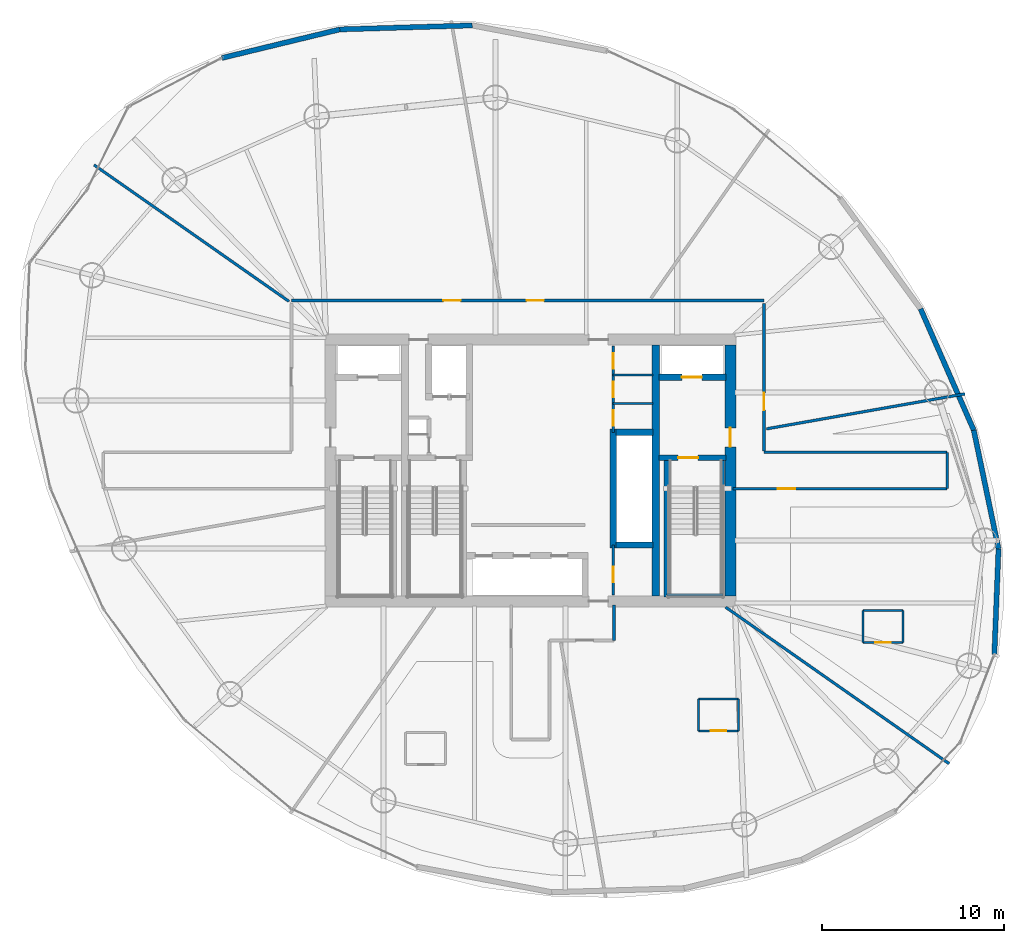
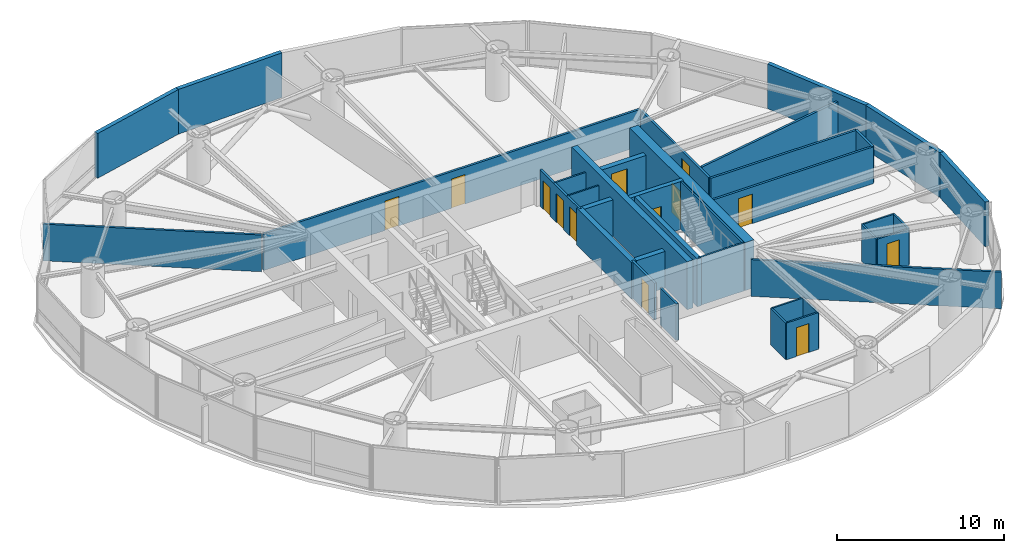
# One storey, part 19 of 23: 36 walls, 13 doors, 13 openings.
"""IFC4 building model written with IfcOpenShell, lengths in metres."""

import ifcopenshell
import ifcopenshell.guid

model = None  # the IFC model being written
_history = None  # IfcOwnerHistory: only IFC2X3 demands one
_inside = {}  # id of a spatial element -> (the spatial element, [elements in it])
_under = {}  # id of a project, library or spatial element -> (it, [spatial elements below it])
_declared = {}  # id of a project -> (the project, [libraries it declares])
_typed = {}  # id of a type object -> (the type object, [elements of that type])
_made_of = {}  # id of a material, layer set ... -> (it, [elements and type objects made of it])


def new_model(schema):
    """Start an empty IFC model of exactly this schema.

    Asked for "IFC4X3", IfcOpenShell would pick the latest addendum, in which some entities
    have other attributes; the version numbers below select the first issue.
    IFC2X3 requires an IfcOwnerHistory on every rooted entity: one is made here for all.
    """
    global model, _history
    if schema == "IFC4X3":
        model = ifcopenshell.file(schema_version=(4, 3, 0, 0))
    else:
        model = ifcopenshell.file(schema=schema)
    _inside.clear()
    _under.clear()
    _declared.clear()
    _typed.clear()
    _made_of.clear()
    _history = None
    if model.schema == "IFC2X3":
        org = make("IfcOrganization", Name="unknown")
        user = make(
            "IfcPersonAndOrganization",
            ThePerson=make("IfcPerson", FamilyName="unknown"),
            TheOrganization=org,
        )
        app = make(
            "IfcApplication",
            ApplicationDeveloper=org,
            Version="unknown",
            ApplicationFullName="unknown",
            ApplicationIdentifier="unknown",
        )
        _history = make(
            "IfcOwnerHistory",
            OwningUser=user,
            OwningApplication=app,
            ChangeAction="ADDED",
            CreationDate=0,
        )
    return model


def make(cls, **values):
    """One entity of the class cls with the attributes given. An attribute that is None is left unset."""
    return model.create_entity(
        cls, **{name: value for name, value in values.items() if value is not None}
    )


def rooted(cls, **values):
    """An entity with a GlobalId (a new one), such as an element, a storey or a relation."""
    return make(cls, GlobalId=ifcopenshell.guid.new(), OwnerHistory=_history, **values)


def si_unit(unit_type, name, prefix=None):
    """IfcSIUnit, for example si_unit("LENGTHUNIT", "METRE", prefix="MILLI")."""
    return make("IfcSIUnit", UnitType=unit_type, Prefix=prefix, Name=name)


def assignment(units):
    """IfcUnitAssignment: the units of a project."""
    return None if units is None else make("IfcUnitAssignment", Units=units)


def point(xyz):
    """IfcCartesianPoint."""
    return None if xyz is None else make("IfcCartesianPoint", Coordinates=xyz)


def direction(xyz):
    """IfcDirection."""
    return None if xyz is None else make("IfcDirection", DirectionRatios=xyz)


def frame(location, z_axis=None, x_axis=None):
    """IfcAxis2Placement3D, a coordinate frame: its origin and axes. An axis left out is left unset."""
    return make(
        "IfcAxis2Placement3D",
        Location=point(location),
        Axis=direction(z_axis),
        RefDirection=direction(x_axis),
    )


def frame_2d(location, x_axis=None):
    """IfcAxis2Placement2D, a coordinate frame in the plane: its origin and x axis."""
    return make(
        "IfcAxis2Placement2D", Location=point(location), RefDirection=direction(x_axis)
    )


def origin():
    """The frame at (0, 0, 0) with its axes left unset."""
    return frame((0.0, 0.0, 0.0))


def place(relative_to, where):
    """IfcLocalPlacement: puts the frame where relative to a parent placement (None: the world)."""
    return make(
        "IfcLocalPlacement", PlacementRelTo=relative_to, RelativePlacement=where
    )


def context(
    kind, dimensions, precision=None, world=None, true_north=None, identifier=None
):
    """IfcGeometricRepresentationContext, for example the 3D "Model" context."""
    return make(
        "IfcGeometricRepresentationContext",
        ContextIdentifier=identifier,
        ContextType=kind,
        CoordinateSpaceDimension=dimensions,
        Precision=precision,
        WorldCoordinateSystem=world,
        TrueNorth=true_north,
    )


def subcontext(parent, identifier, kind, view, scale=None):
    """IfcGeometricRepresentationSubContext, for example "Body" below "Model"."""
    return make(
        "IfcGeometricRepresentationSubContext",
        ContextIdentifier=identifier,
        ContextType=kind,
        ParentContext=parent,
        TargetScale=scale,
        TargetView=view,
    )


def project(units=None, contexts=None):
    """IfcProject with its units and contexts."""
    return rooted(
        "IfcProject",
        Name="project",
        RepresentationContexts=contexts,
        UnitsInContext=assignment(units),
    )


def spatial(cls, under=None, at=None, **own):
    """A site, building, storey or space (cls), placed at a placement, below another one or the project."""
    s = rooted(cls, ObjectPlacement=at, **own)
    if under is not None:
        _under.setdefault(under.id(), (under, []))[1].append(s)
    return s


def profile(cls, at=None, kind="AREA", **sizes):
    """A parametric profile (cls). Its sizes go by their IFC names, for example OverallWidth=200.0."""
    return make(cls, ProfileType=kind, Position=at, **sizes)


def rectangle(**sizes):
    """IfcRectangleProfileDef."""
    return profile("IfcRectangleProfileDef", **sizes)


def extrude(swept, where, along, depth):
    """IfcExtrudedAreaSolid: the profile swept, set in the frame where, extruded along a direction by depth."""
    return make(
        "IfcExtrudedAreaSolid",
        SweptArea=swept,
        Position=where,
        ExtrudedDirection=direction(along),
        Depth=depth,
    )


def shape(context_of_items, identifier, shape_type, items):
    """IfcShapeRepresentation: the items that make up one representation, for example the "Body"."""
    return make(
        "IfcShapeRepresentation",
        ContextOfItems=context_of_items,
        RepresentationIdentifier=identifier,
        RepresentationType=shape_type,
        Items=items,
    )


def material(Name=None, Category=None):
    """IfcMaterial."""
    return make("IfcMaterial", Name=Name, Category=Category)


def layer(
    of_material, thickness, ventilated=None, Name=None, Category=None, Priority=None
):
    """IfcMaterialLayer: one layer of a wall or slab, of a material (None: an air gap)."""
    return make(
        "IfcMaterialLayer",
        Material=of_material,
        LayerThickness=thickness,
        IsVentilated=ventilated,
        Name=Name,
        Category=Category,
        Priority=Priority,
    )


def layer_set(layers, Name=None):
    """IfcMaterialLayerSet."""
    return make("IfcMaterialLayerSet", MaterialLayers=layers, LayerSetName=Name)


def made_of(thing, what):
    """Note that an element or type object is made of a material, layer set ...; save() writes the relation."""
    if what is not None:
        _made_of.setdefault(what.id(), (what, []))[1].append(thing)
    return thing


def type_object(cls, material=None, **own):
    """A type object (cls), such as IfcWallType, which elements share."""
    return made_of(rooted(cls, **own), material)


def element(
    cls,
    number,
    at=None,
    inside=None,
    cuts=None,
    type_object=None,
    material=None,
    context=None,
    identifier="Body",
    shape_type=None,
    held_by="IfcProductDefinitionShape",
    body=None,
    shapes=None,
    **own,
):
    """One element of the class cls, such as IfcWall. Its Tag is "e" and its number.

    at: its placement. inside: the storey or other place that contains it. cuts: it is an
    opening in that element (IfcRelVoidsElement). A single representation is given by context,
    identifier, shape_type and body (its items); several are given by shapes. held_by: the class
    of the entity that holds the representations. save() writes the other relations.
    """
    e = rooted(cls, Tag="e%d" % number, ObjectPlacement=at, **own)
    if body is not None:
        shapes = [shape(context, identifier, shape_type, body)]
    if shapes is not None:
        e.Representation = make(held_by, Representations=shapes)
    if inside is not None:
        _inside.setdefault(inside.id(), (inside, []))[1].append(e)
    if cuts is not None:
        rooted(
            "IfcRelVoidsElement", RelatingBuildingElement=cuts, RelatedOpeningElement=e
        )
    if type_object is not None:
        _typed.setdefault(type_object.id(), (type_object, []))[1].append(e)
    return made_of(e, material)


def fill(opening, filler):
    """IfcRelFillsElement: the door or window that sits in an opening."""
    return rooted(
        "IfcRelFillsElement",
        RelatingOpeningElement=opening,
        RelatedBuildingElement=filler,
    )


def aggregate(whole, parts):
    """IfcRelAggregates: a whole, such as a stair, and the parts it consists of."""
    return rooted("IfcRelAggregates", RelatingObject=whole, RelatedObjects=parts)


def save(model, path):
    """Write the relations noted so far, then the file.

    IfcRelAggregates (storeys below a building ...), IfcRelContainedInSpatialStructure (elements
    in a storey), IfcRelDefinesByType, IfcRelAssociatesMaterial and IfcRelDeclares: one each for
    every whole, place, type object, material and project.
    """
    for whole, parts in _under.values():
        aggregate(whole, parts)
    for where, things in _inside.values():
        rooted(
            "IfcRelContainedInSpatialStructure",
            RelatedElements=things,
            RelatingStructure=where,
        )
    for kind, things in _typed.values():
        rooted("IfcRelDefinesByType", RelatedObjects=things, RelatingType=kind)
    for what, things in _made_of.values():
        rooted("IfcRelAssociatesMaterial", RelatedObjects=things, RelatingMaterial=what)
    for by, libraries in _declared.values():
        rooted("IfcRelDeclares", RelatingContext=by, RelatedDefinitions=libraries)
    model.write(path)


model = new_model("IFC4")

# Units and contexts
model_context = context("Model", 3, precision=1e-05, world=origin(), true_north=direction((0.0, 1.0)))
body_context = subcontext(model_context, "Body", "Model", "MODEL_VIEW")
ifc_project = project(units=[si_unit("LENGTHUNIT", "METRE"), si_unit("AREAUNIT", "SQUARE_METRE"), si_unit("VOLUMEUNIT", "CUBIC_METRE"), si_unit("PLANEANGLEUNIT", "RADIAN"), si_unit("MASSUNIT", "GRAM", prefix="KILO")], contexts=[model_context])

# Site, building, storey
site_placement = place(None, origin())
site = spatial("IfcSite", under=ifc_project, at=site_placement, CompositionType="ELEMENT")
building_placement = place(site_placement, origin())
building = spatial("IfcBuilding", under=site, at=building_placement, Name="Bramvorn Convention Spire", CompositionType="ELEMENT")
storey_placement = place(building_placement, frame((0.0, 0.0, 158.800048828125)))
storey = spatial("IfcBuildingStorey", under=building, at=storey_placement, Name="L40", CompositionType="ELEMENT", Elevation=158.800048828125)

# Wall, opening, door
ifc_material_1 = material(Name="Concrete C60/70", Category="concrete")
ifc_layer_1 = layer(ifc_material_1, 0.60009765625)
ifc_layer_set_1 = layer_set([ifc_layer_1], Name="Concrete C60/70 - WL-CORE-600")
wall_type_1 = type_object("IfcWallType", Name="WL-CORE-600", PredefinedType="SHEAR", material=ifc_layer_set_1)
wall_1_placement = place(storey_placement, frame((49.0, 19.10009765625, 0.0), z_axis=(0.0, 0.0, 1.0), x_axis=(0.0, 1.0, 0.0)))
wall_1 = element("IfcWall", 1, at=wall_1_placement, inside=storey, type_object=wall_type_1, Name="L40 East RC core shear wall", PredefinedType="SHEAR", context=body_context, shape_type="SweptSolid", body=[
    extrude(rectangle(XDim=13.7998046875, YDim=0.60009765625, at=frame_2d((6.89990234375, 0.0))), origin(), (0.0, 0.0, 1.0), 3.5),
])
opening_1_placement = place(wall_1_placement, frame((8.199951171875, 0.0, 0.0)))
opening_1 = element("IfcOpeningElement", 2, at=opening_1_placement, cuts=wall_1, Name="Opening DL-105", PredefinedType="OPENING", context=body_context, shape_type="SweptSolid", body=[
    extrude(rectangle(XDim=1.050048828125, YDim=2.14990234375, at=frame_2d((0.52490234375, 1.074951171875))), frame((0.0, 0.31005859375, 0.0), z_axis=(0.0, -1.0, 0.0), x_axis=(1.0, 0.0, 0.0)), (0.0, 0.0, 1.0), 0.6201171875),
])
ifc_material_2 = material(Name="Smoke-Sealed Fire Lobby Timber-Core Door", Category="wood")
door_type_1 = type_object("IfcDoorType", Name="DR-LOBBY-1050", OperationType="NOTDEFINED", PredefinedType="DOOR", material=ifc_material_2)
door_1_placement = place(opening_1_placement, origin())
door_1 = element("IfcDoor", 3, at=door_1_placement, inside=storey, type_object=door_type_1, Name="L40 East Firefighting Lobby corridor door", OperationType="SINGLE_SWING_LEFT", OverallHeight=2.14990234375, OverallWidth=1.050048828125, PredefinedType="DOOR", context=body_context, shape_type="SweptSolid", body=[
    extrude(rectangle(XDim=1.050048828125, YDim=2.14990234375, at=frame_2d((0.52490234375, 1.074951171875))), frame((0.0, 0.02490234375, 0.0), z_axis=(0.0, -1.0, 0.0), x_axis=(1.0, 0.0, 0.0)), (0.0, 0.0, 1.0), 0.050048828125),
])
fill(opening_1, door_1)

ifc_material_3 = material(Name="Concrete C50/60", Category="concrete")
ifc_layer_2 = layer(ifc_material_3, 0.35009765625)
ifc_layer_set_2 = layer_set([ifc_layer_2], Name="Concrete C50/60 - WL-CORE-INT-350")
wall_type_2 = type_object("IfcWallType", Name="WL-CORE-INT-350", PredefinedType="SHEAR", material=ifc_layer_set_2)
wall_2_placement = place(storey_placement, frame((45.080078125, 31.1201171875, 0.0), z_axis=(0.0, 0.0, 1.0), x_axis=(1.0, 0.0, 0.0)))
wall_2 = element("IfcWall", 4, at=wall_2_placement, inside=storey, type_object=wall_type_2, Name="L40 FE2 shaft front wall", PredefinedType="SHEAR", context=body_context, shape_type="SweptSolid", body=[
    extrude(rectangle(XDim=3.669921875, YDim=0.35009765625, at=frame_2d((1.8349609375, 0.0))), origin(), (0.0, 0.0, 1.0), 2.675048828125),
])
opening_2_placement = place(wall_2_placement, frame((1.25, 0.0, 0.0)))
opening_2 = element("IfcOpeningElement", 5, at=opening_2_placement, cuts=wall_2, Name="Opening LD-110", PredefinedType="OPENING", context=body_context, shape_type="SweptSolid", body=[
    extrude(rectangle(XDim=1.10009765625, YDim=2.14990234375, at=frame_2d((0.550048828125, 1.074951171875))), frame((0.0, 0.18505859375, 0.0), z_axis=(0.0, -1.0, 0.0), x_axis=(1.0, 0.0, 0.0)), (0.0, 0.0, 1.0), 0.3701171875),
])
ifc_material_4 = material(Name="Firefighting & Service Lift Sliding Landing Door", Category="steel")
door_type_2 = type_object("IfcDoorType", Name="DR-LIFT-LD-1100", OperationType="NOTDEFINED", PredefinedType="DOOR", material=ifc_material_4)
door_2_placement = place(opening_2_placement, origin())
door_2 = element("IfcDoor", 6, at=door_2_placement, inside=storey, type_object=door_type_2, Name="L40 Lift FE2 Sliding Landing Door", OperationType="SLIDING_TO_LEFT", OverallHeight=2.14990234375, OverallWidth=1.10009765625, PredefinedType="DOOR", context=body_context, shape_type="SweptSolid", body=[
    extrude(rectangle(XDim=1.10009765625, YDim=2.14990234375, at=frame_2d((0.550048828125, 1.074951171875))), frame((0.0, 0.02490234375, 0.0), z_axis=(0.0, -1.0, 0.0), x_axis=(1.0, 0.0, 0.0)), (0.0, 0.0, 1.0), 0.050048828125),
])
fill(opening_2, door_2)

# Walls
wall_3_placement = place(storey_placement, frame((42.550048828125, 21.72998046875, 0.0), z_axis=(0.0, 0.0, 1.0), x_axis=(0.0, 1.0, 0.0)))
element("IfcWall", 7, at=wall_3_placement, inside=storey, type_object=wall_type_2, Name="L40 High-rise lift bank west wall", PredefinedType="SHEAR", context=body_context, shape_type="SweptSolid", body=[
    extrude(rectangle(XDim=6.5400390625, YDim=0.35009765625, at=frame_2d((3.27001953125, 0.0))), origin(), (0.0, 0.0, 1.0), 2.675048828125),
])
for number, where, z_axis, x_axis, name in (
    (8, (42.719970703125, 21.89990234375, 0.0), (0.0, 0.0, 1.0), (1.0, 0.0, 0.0), "L40 High-rise lift bank south wall"),
    (9, (42.719970703125, 28.10009765625, 0.0), (0.0, 0.0, 1.0), (1.0, 0.0, 0.0), "L40 High-rise lift bank north wall"),
):
    element("IfcWall", number, at=place(storey_placement, frame(where, z_axis=z_axis, x_axis=x_axis)), inside=storey, type_object=wall_type_2, Name=name, PredefinedType="SHEAR", context=body_context, shape_type="SweptSolid", body=[
        extrude(rectangle(XDim=2.030029296875, YDim=0.35009765625, at=frame_2d((1.01513671875, 0.0))), origin(), (0.0, 0.0, 1.0), 2.675048828125),
    ])
ifc_layer_3 = layer(ifc_material_1, 0.39990234375)
ifc_layer_set_3 = layer_set([ifc_layer_3], Name="Concrete C60/70 - WL-CORE-INT-400")
wall_type_3 = type_object("IfcWallType", Name="WL-CORE-INT-400", PredefinedType="SHEAR", material=ifc_layer_set_3)
wall_4_placement = place(storey_placement, frame((44.89990234375, 19.10009765625, 0.0), z_axis=(0.0, 0.0, 1.0), x_axis=(0.0, 1.0, 0.0)))
element("IfcWall", 10, at=wall_4_placement, inside=storey, type_object=wall_type_3, Name="L40 East internal core shear web", PredefinedType="SHEAR", context=body_context, shape_type="SweptSolid", body=[
    extrude(rectangle(XDim=13.7998046875, YDim=0.39990234375, at=frame_2d((6.89990234375, 0.0))), origin(), (0.0, 0.0, 1.0), 3.5),
])
ifc_material_5 = material(Name="Precast Concrete C40/50 with Bronze Terracotta Rainscreen", Category="masonry")
ifc_layer_4 = layer(ifc_material_5, 0.300048828125)
ifc_layer_set_4 = layer_set([ifc_layer_4], Name="Precast Concrete C40/50 with Bronze Terracotta Rainscreen - WL-EXT-BRONZE-300")
wall_type_4 = type_object("IfcWallType", Name="WL-EXT-BRONZE-300", PredefinedType="SOLIDWALL", material=ifc_layer_set_4)
wall_5_placement = place(storey_placement, frame((63.752685546875, 21.6904296875, 0.0), z_axis=(0.0, 0.0, 1.0), x_axis=(-0.039371907334, -0.999224625854, 0.0)))
element("IfcWall", 11, at=wall_5_placement, inside=storey, type_object=wall_type_4, Name="L40 expressed bronze Gothic lancet pier wall 02", PredefinedType="SOLIDWALL", context=body_context, shape_type="SweptSolid", body=[
    extrude(rectangle(XDim=5.822509765625, YDim=0.280029296875, at=frame_2d((2.9111328125, 0.0))), origin(), (0.0, 0.0, 1.0), 3.260009765625),
])
wall_6_placement = place(storey_placement, frame((62.39111328125, 28.215087890625, 0.0), z_axis=(0.0, 0.0, 1.0), x_axis=(0.20428043062, -0.978912409598, 0.0)))
element("IfcWall", 12, at=wall_6_placement, inside=storey, type_object=wall_type_4, Name="L40 expressed bronze Gothic lancet pier wall 03", PredefinedType="SOLIDWALL", context=body_context, shape_type="SweptSolid", body=[
    extrude(rectangle(XDim=6.665283203125, YDim=0.280029296875, at=frame_2d((3.33251953125, 0.0))), origin(), (0.0, 0.0, 1.0), 3.260009765625),
])
wall_7_placement = place(storey_placement, frame((59.46337890625, 34.893310546875, 0.0), z_axis=(0.0, 0.0, 1.0), x_axis=(0.401510744886, -0.915854312509, 0.0)))
element("IfcWall", 13, at=wall_7_placement, inside=storey, type_object=wall_type_4, Name="L40 expressed bronze Gothic lancet pier wall 04", PredefinedType="SOLIDWALL", context=body_context, shape_type="SweptSolid", body=[
    extrude(rectangle(XDim=7.291748046875, YDim=0.280029296875, at=frame_2d((3.64599609375, 0.0))), origin(), (0.0, 0.0, 1.0), 3.260009765625),
])
wall_8_placement = place(storey_placement, frame((27.510009765625, 50.26611328125, 0.0), z_axis=(0.0, 0.0, 1.0), x_axis=(0.99954690519, 0.030099573517, 0.0)))
element("IfcWall", 14, at=wall_8_placement, inside=storey, type_object=wall_type_4, Name="L40 expressed bronze Gothic lancet pier wall 09", PredefinedType="SOLIDWALL", context=body_context, shape_type="SweptSolid", body=[
    extrude(rectangle(XDim=7.2919921875, YDim=0.280029296875, at=frame_2d((3.64599609375, 0.0))), origin(), (0.0, 0.0, 1.0), 3.260009765625),
])
wall_9_placement = place(storey_placement, frame((21.0322265625, 48.697265625, 0.0), z_axis=(0.0, 0.0, 1.0), x_axis=(0.971902437422, 0.23538405242, 0.0)))
element("IfcWall", 15, at=wall_9_placement, inside=storey, type_object=wall_type_4, Name="L40 expressed bronze Gothic lancet pier wall 10", PredefinedType="SOLIDWALL", context=body_context, shape_type="SweptSolid", body=[
    extrude(rectangle(XDim=6.6650390625, YDim=0.280029296875, at=frame_2d((3.33251953125, 0.0))), origin(), (0.0, 0.0, 1.0), 3.260009765625),
])
ifc_material_6 = material(Name="Lightweight En-Suite & Wet-Wall Partition", Category="gypsum")
ifc_layer_5 = layer(ifc_material_6, 0.110107421875)
ifc_layer_set_5 = layer_set([ifc_layer_5], Name="Lightweight En-Suite & Wet-Wall Partition - WL-PART-110")
wall_type_5 = type_object("IfcWallType", Name="WL-PART-110", PredefinedType="PARTITIONING", material=ifc_layer_set_5)
for number, where, z_axis, x_axis, name in (
    (16, (42.550048828125, 29.679931640625, 0.0), (0.0, 0.0, 1.0), (1.0, 0.0, 0.0), "L40 KC NE div 1"),
    (17, (42.550048828125, 31.260009765625, 0.0), (0.0, 0.0, 1.0), (1.0, 0.0, 0.0), "L40 KC NE div 2"),
):
    element("IfcWall", number, at=place(storey_placement, frame(where, z_axis=z_axis, x_axis=x_axis)), inside=storey, type_object=wall_type_5, Name=name, PredefinedType="PARTITIONING", context=body_context, shape_type="SweptSolid", body=[
        extrude(rectangle(XDim=2.199951171875, YDim=0.110107421875, at=frame_2d((1.10009765625, 0.0))), origin(), (0.0, 0.0, 1.0), 2.675048828125),
    ])

# Wall, opening, door
wall_10_placement = place(storey_placement, frame((47.24609375, 11.678955078125, 0.0), z_axis=(0.0, 0.0, 1.0), x_axis=(1.0, 0.0, 0.0)))
wall_10 = element("IfcWall", 18, at=wall_10_placement, inside=storey, type_object=wall_type_5, Name="Hotel Suite 4007 en-suite south wall", PredefinedType="PARTITIONING", context=body_context, shape_type="SweptSolid", body=[
    extrude(rectangle(XDim=2.199951171875, YDim=0.110107421875, at=frame_2d((1.10009765625, 0.0))), origin(), (0.0, 0.0, 1.0), 2.675048828125),
])
opening_3_placement = place(wall_10_placement, frame((0.679931640625, 0.0, 0.0)))
opening_3 = element("IfcOpeningElement", 19, at=opening_3_placement, cuts=wall_10, Name="Opening DI-085", PredefinedType="OPENING", context=body_context, shape_type="SweptSolid", body=[
    extrude(rectangle(XDim=0.85009765625, YDim=2.10009765625, at=frame_2d((0.425048828125, 1.050048828125))), frame((0.0, 0.06494140625, 0.0), z_axis=(0.0, -1.0, 0.0), x_axis=(1.0, 0.0, 0.0)), (0.0, 0.0, 1.0), 0.130126953125),
])
ifc_material_7 = material(Name="En-Suite & Restroom Privacy Door", Category="wood")
door_type_3 = type_object("IfcDoorType", Name="DR-INT-850", OperationType="NOTDEFINED", PredefinedType="DOOR", material=ifc_material_7)
door_3_placement = place(opening_3_placement, origin())
door_3 = element("IfcDoor", 20, at=door_3_placement, inside=storey, type_object=door_type_3, Name="Hotel Suite 4007 En-Suite Bathroom door", OperationType="SINGLE_SWING_LEFT", OverallHeight=2.10009765625, OverallWidth=0.85009765625, PredefinedType="DOOR", context=body_context, shape_type="SweptSolid", body=[
    extrude(rectangle(XDim=0.85009765625, YDim=2.10009765625, at=frame_2d((0.425048828125, 1.050048828125))), frame((0.0, 0.02490234375, 0.0), z_axis=(0.0, -1.0, 0.0), x_axis=(1.0, 0.0, 0.0)), (0.0, 0.0, 1.0), 0.050048828125),
])
fill(opening_3, door_3)

# Walls
wall_11_placement = place(storey_placement, frame((47.24609375, 13.43896484375, 0.0), z_axis=(0.0, 0.0, 1.0), x_axis=(1.0, 0.0, 0.0)))
element("IfcWall", 21, at=wall_11_placement, inside=storey, type_object=wall_type_5, Name="Hotel Suite 4007 en-suite north wall", PredefinedType="PARTITIONING", context=body_context, shape_type="SweptSolid", body=[
    extrude(rectangle(XDim=2.199951171875, YDim=0.110107421875, at=frame_2d((1.10009765625, 0.0))), origin(), (0.0, 0.0, 1.0), 2.675048828125),
])
for number, where, z_axis, x_axis, name in (
    (22, (47.24609375, 11.678955078125, 0.0), (0.0, 0.0, 1.0), (0.0, 1.0, 0.0), "Hotel Suite 4007 en-suite west wall"),
    (23, (49.446044921875, 11.678955078125, 0.0), (0.0, 0.0, 1.0), (0.0, 1.0, 0.0), "Hotel Suite 4007 en-suite east wall"),
):
    element("IfcWall", number, at=place(storey_placement, frame(where, z_axis=z_axis, x_axis=x_axis)), inside=storey, type_object=wall_type_5, Name=name, PredefinedType="PARTITIONING", context=body_context, shape_type="SweptSolid", body=[
        extrude(rectangle(XDim=1.760009765625, YDim=0.110107421875, at=frame_2d((0.8798828125, 0.0))), origin(), (0.0, 0.0, 1.0), 2.675048828125),
    ])

# Wall, opening, door
wall_12_placement = place(storey_placement, frame((56.301513671875, 16.535400390625, 0.0), z_axis=(0.0, 0.0, 1.0), x_axis=(1.0, 0.0, 0.0)))
wall_12 = element("IfcWall", 24, at=wall_12_placement, inside=storey, type_object=wall_type_5, Name="Hotel Suite 4008 en-suite south wall", PredefinedType="PARTITIONING", context=body_context, shape_type="SweptSolid", body=[
    extrude(rectangle(XDim=2.199951171875, YDim=0.110107421875, at=frame_2d((1.10009765625, 0.0))), origin(), (0.0, 0.0, 1.0), 2.675048828125),
])
opening_4_placement = place(wall_12_placement, frame((0.679931640625, 0.0, 0.0)))
opening_4 = element("IfcOpeningElement", 25, at=opening_4_placement, cuts=wall_12, Name="Opening DI-085", PredefinedType="OPENING", context=body_context, shape_type="SweptSolid", body=[
    extrude(rectangle(XDim=0.85009765625, YDim=2.10009765625, at=frame_2d((0.425048828125, 1.050048828125))), frame((0.0, 0.06494140625, 0.0), z_axis=(0.0, -1.0, 0.0), x_axis=(1.0, 0.0, 0.0)), (0.0, 0.0, 1.0), 0.130126953125),
])
door_4_placement = place(opening_4_placement, origin())
door_4 = element("IfcDoor", 26, at=door_4_placement, inside=storey, type_object=door_type_3, Name="Hotel Suite 4008 En-Suite Bathroom door", OperationType="SINGLE_SWING_LEFT", OverallHeight=2.10009765625, OverallWidth=0.85009765625, PredefinedType="DOOR", context=body_context, shape_type="SweptSolid", body=[
    extrude(rectangle(XDim=0.85009765625, YDim=2.10009765625, at=frame_2d((0.425048828125, 1.050048828125))), frame((0.0, 0.02490234375, 0.0), z_axis=(0.0, -1.0, 0.0), x_axis=(1.0, 0.0, 0.0)), (0.0, 0.0, 1.0), 0.050048828125),
])
fill(opening_4, door_4)

# Walls
wall_13_placement = place(storey_placement, frame((56.301513671875, 18.29541015625, 0.0), z_axis=(0.0, 0.0, 1.0), x_axis=(1.0, 0.0, 0.0)))
element("IfcWall", 27, at=wall_13_placement, inside=storey, type_object=wall_type_5, Name="Hotel Suite 4008 en-suite north wall", PredefinedType="PARTITIONING", context=body_context, shape_type="SweptSolid", body=[
    extrude(rectangle(XDim=2.199951171875, YDim=0.110107421875, at=frame_2d((1.10009765625, 0.0))), origin(), (0.0, 0.0, 1.0), 2.675048828125),
])
for number, where, z_axis, x_axis, name in (
    (28, (56.301513671875, 16.535400390625, 0.0), (0.0, 0.0, 1.0), (0.0, 1.0, 0.0), "Hotel Suite 4008 en-suite west wall"),
    (29, (58.50146484375, 16.535400390625, 0.0), (0.0, 0.0, 1.0), (0.0, 1.0, 0.0), "Hotel Suite 4008 en-suite east wall"),
):
    element("IfcWall", number, at=place(storey_placement, frame(where, z_axis=z_axis, x_axis=x_axis)), inside=storey, type_object=wall_type_5, Name=name, PredefinedType="PARTITIONING", context=body_context, shape_type="SweptSolid", body=[
        extrude(rectangle(XDim=1.760009765625, YDim=0.110107421875, at=frame_2d((0.8798828125, 0.0))), origin(), (0.0, 0.0, 1.0), 2.675048828125),
    ])

# Wall, openings, doors
ifc_material_8 = material(Name="Acoustic Metal-Stud Tenant/Corridor Partition", Category="gypsum")
ifc_layer_6 = layer(ifc_material_8, 0.14990234375)
ifc_layer_set_6 = layer_set([ifc_layer_6], Name="Acoustic Metal-Stud Tenant/Corridor Partition - WL-PART-150")
wall_type_6 = type_object("IfcWallType", Name="WL-PART-150", PredefinedType="PARTITIONING", material=ifc_layer_set_6)
wall_14_placement = place(storey_placement, frame((42.550048828125, 28.10009765625, 0.0), z_axis=(0.0, 0.0, 1.0), x_axis=(0.0, 1.0, 0.0)))
wall_14 = element("IfcWall", 30, at=wall_14_placement, inside=storey, type_object=wall_type_6, Name="L40 KC NE wall", PredefinedType="PARTITIONING", context=body_context, shape_type="SweptSolid", body=[
    extrude(rectangle(XDim=4.75, YDim=0.14990234375, at=frame_2d((2.375, 0.0))), origin(), (0.0, 0.0, 1.0), 2.675048828125),
])
opening_5_placement = place(wall_14_placement, frame((0.35009765625, 0.0, 0.0)))
opening_5 = element("IfcOpeningElement", 31, at=opening_5_placement, cuts=wall_14, Name="Opening DC-085", PredefinedType="OPENING", context=body_context, shape_type="SweptSolid", body=[
    extrude(rectangle(XDim=0.85009765625, YDim=2.10009765625, at=frame_2d((0.425048828125, 1.050048828125))), frame((0.0, 0.0849609375, 0.0), z_axis=(0.0, -1.0, 0.0), x_axis=(1.0, 0.0, 0.0)), (0.0, 0.0, 1.0), 0.169921875),
])
opening_6_placement = place(wall_14_placement, frame((1.929931640625, 0.0, 0.0)))
opening_6 = element("IfcOpeningElement", 32, at=opening_6_placement, cuts=wall_14, Name="Opening DC-085", PredefinedType="OPENING", context=body_context, shape_type="SweptSolid", body=[
    extrude(rectangle(XDim=0.85009765625, YDim=2.10009765625, at=frame_2d((0.425048828125, 1.050048828125))), frame((0.0, 0.0849609375, 0.0), z_axis=(0.0, -1.0, 0.0), x_axis=(1.0, 0.0, 0.0)), (0.0, 0.0, 1.0), 0.169921875),
])
opening_7_placement = place(wall_14_placement, frame((3.510009765625, 0.0, 0.0)))
opening_7 = element("IfcOpeningElement", 33, at=opening_7_placement, cuts=wall_14, Name="Opening DC-085", PredefinedType="OPENING", context=body_context, shape_type="SweptSolid", body=[
    extrude(rectangle(XDim=0.85009765625, YDim=2.10009765625, at=frame_2d((0.425048828125, 1.050048828125))), frame((0.0, 0.0849609375, 0.0), z_axis=(0.0, -1.0, 0.0), x_axis=(1.0, 0.0, 0.0)), (0.0, 0.0, 1.0), 0.169921875),
])
ifc_material_9 = material(Name="Fire-Rated Core Washroom & IDF Door", Category="wood")
door_type_4 = type_object("IfcDoorType", Name="DR-CORE-850", OperationType="NOTDEFINED", PredefinedType="DOOR", material=ifc_material_9)
door_5_placement = place(opening_5_placement, origin())
door_5 = element("IfcDoor", 34, at=door_5_placement, inside=storey, type_object=door_type_4, Name="L40 Accessible Core Restroom door", OperationType="SINGLE_SWING_LEFT", OverallHeight=2.10009765625, OverallWidth=0.85009765625, PredefinedType="DOOR", context=body_context, shape_type="SweptSolid", body=[
    extrude(rectangle(XDim=0.85009765625, YDim=2.10009765625, at=frame_2d((0.425048828125, 1.050048828125))), frame((0.0, 0.02490234375, 0.0), z_axis=(0.0, -1.0, 0.0), x_axis=(1.0, 0.0, 0.0)), (0.0, 0.0, 1.0), 0.050048828125),
])
fill(opening_5, door_5)
door_6_placement = place(opening_6_placement, origin())
door_6 = element("IfcDoor", 35, at=door_6_placement, inside=storey, type_object=door_type_4, Name="L40 Floor Housekeeping & Linen Store door", OperationType="SINGLE_SWING_LEFT", OverallHeight=2.10009765625, OverallWidth=0.85009765625, PredefinedType="DOOR", context=body_context, shape_type="SweptSolid", body=[
    extrude(rectangle(XDim=0.85009765625, YDim=2.10009765625, at=frame_2d((0.425048828125, 1.050048828125))), frame((0.0, 0.02490234375, 0.0), z_axis=(0.0, -1.0, 0.0), x_axis=(1.0, 0.0, 0.0)), (0.0, 0.0, 1.0), 0.050048828125),
])
fill(opening_6, door_6)
door_7_placement = place(opening_7_placement, origin())
door_7 = element("IfcDoor", 36, at=door_7_placement, inside=storey, type_object=door_type_4, Name="L40 Core Comms Closet door", OperationType="SINGLE_SWING_LEFT", OverallHeight=2.10009765625, OverallWidth=0.85009765625, PredefinedType="DOOR", context=body_context, shape_type="SweptSolid", body=[
    extrude(rectangle(XDim=0.85009765625, YDim=2.10009765625, at=frame_2d((0.425048828125, 1.050048828125))), frame((0.0, 0.02490234375, 0.0), z_axis=(0.0, -1.0, 0.0), x_axis=(1.0, 0.0, 0.0)), (0.0, 0.0, 1.0), 0.050048828125),
])
fill(opening_7, door_7)

# Wall, opening, door
wall_15_placement = place(storey_placement, frame((42.550048828125, 19.14990234375, 0.0), z_axis=(0.0, 0.0, 1.0), x_axis=(0.0, 1.0, 0.0)))
wall_15 = element("IfcWall", 37, at=wall_15_placement, inside=storey, type_object=wall_type_6, Name="L40 KC SE wall", PredefinedType="PARTITIONING", context=body_context, shape_type="SweptSolid", body=[
    extrude(rectangle(XDim=2.75, YDim=0.14990234375, at=frame_2d((1.375, 0.0))), origin(), (0.0, 0.0, 1.0), 2.675048828125),
])
opening_8_placement = place(wall_15_placement, frame((0.699951171875, 0.0, 0.0)))
opening_8 = element("IfcOpeningElement", 38, at=opening_8_placement, cuts=wall_15, Name="Opening DC-085", PredefinedType="OPENING", context=body_context, shape_type="SweptSolid", body=[
    extrude(rectangle(XDim=0.85009765625, YDim=2.10009765625, at=frame_2d((0.425048828125, 1.050048828125))), frame((0.0, 0.0849609375, 0.0), z_axis=(0.0, -1.0, 0.0), x_axis=(1.0, 0.0, 0.0)), (0.0, 0.0, 1.0), 0.169921875),
])
door_8_placement = place(opening_8_placement, origin())
door_8 = element("IfcDoor", 39, at=door_8_placement, inside=storey, type_object=door_type_4, Name="L40 Core Valve & Riser Room door", OperationType="SINGLE_SWING_LEFT", OverallHeight=2.10009765625, OverallWidth=0.85009765625, PredefinedType="DOOR", context=body_context, shape_type="SweptSolid", body=[
    extrude(rectangle(XDim=0.85009765625, YDim=2.10009765625, at=frame_2d((0.425048828125, 1.050048828125))), frame((0.0, 0.02490234375, 0.0), z_axis=(0.0, -1.0, 0.0), x_axis=(1.0, 0.0, 0.0)), (0.0, 0.0, 1.0), 0.050048828125),
])
fill(opening_8, door_8)

# Wall, openings, doors
wall_16_placement = place(storey_placement, frame((24.85009765625, 35.35009765625, 0.0), z_axis=(0.0, 0.0, 1.0), x_axis=(1.0, 0.0, 0.0)))
wall_16 = element("IfcWall", 40, at=wall_16_placement, inside=storey, type_object=wall_type_6, Name="L40 North gallery wall", PredefinedType="PARTITIONING", context=body_context, shape_type="SweptSolid", body=[
    extrude(rectangle(XDim=26.0, YDim=0.14990234375, at=frame_2d((13.0, 0.0))), origin(), (0.0, 0.0, 1.0), 2.675048828125),
])
opening_9_placement = place(wall_16_placement, frame((12.934814453125, 0.0, 0.0)))
opening_9 = element("IfcOpeningElement", 41, at=opening_9_placement, cuts=wall_16, Name="Opening DH-095", PredefinedType="OPENING", context=body_context, shape_type="SweptSolid", body=[
    extrude(rectangle(XDim=0.949951171875, YDim=2.14990234375, at=frame_2d((0.47509765625, 1.074951171875))), frame((0.0, 0.0849609375, 0.0), z_axis=(0.0, -1.0, 0.0), x_axis=(1.0, 0.0, 0.0)), (0.0, 0.0, 1.0), 0.169921875),
])
opening_10_placement = place(wall_16_placement, frame((8.357421875, 0.0, 0.0)))
opening_10 = element("IfcOpeningElement", 42, at=opening_10_placement, cuts=wall_16, Name="Opening DH-095", PredefinedType="OPENING", context=body_context, shape_type="SweptSolid", body=[
    extrude(rectangle(XDim=0.949951171875, YDim=2.14990234375, at=frame_2d((0.47509765625, 1.074951171875))), frame((0.0, 0.0849609375, 0.0), z_axis=(0.0, -1.0, 0.0), x_axis=(1.0, 0.0, 0.0)), (0.0, 0.0, 1.0), 0.169921875),
])
ifc_material_10 = material(Name="Solid-Core Acoustic Guestroom Entry Door", Category="wood")
door_type_5 = type_object("IfcDoorType", Name="DR-HOTEL-950", OperationType="NOTDEFINED", PredefinedType="DOOR", material=ifc_material_10)
door_9_placement = place(opening_9_placement, origin())
door_9 = element("IfcDoor", 43, at=door_9_placement, inside=storey, type_object=door_type_5, Name="L40 Hospitality Lounge 2 door", OperationType="SINGLE_SWING_RIGHT", OverallHeight=2.14990234375, OverallWidth=0.949951171875, PredefinedType="DOOR", context=body_context, shape_type="SweptSolid", body=[
    extrude(rectangle(XDim=0.949951171875, YDim=2.14990234375, at=frame_2d((0.47509765625, 1.074951171875))), frame((0.0, 0.02490234375, 0.0), z_axis=(0.0, -1.0, 0.0), x_axis=(1.0, 0.0, 0.0)), (0.0, 0.0, 1.0), 0.050048828125),
])
fill(opening_9, door_9)
door_10_placement = place(opening_10_placement, origin())
door_10 = element("IfcDoor", 44, at=door_10_placement, inside=storey, type_object=door_type_5, Name="L40 Sky Garden Lounge corridor door", OperationType="SINGLE_SWING_LEFT", OverallHeight=2.14990234375, OverallWidth=0.949951171875, PredefinedType="DOOR", context=body_context, shape_type="SweptSolid", body=[
    extrude(rectangle(XDim=0.949951171875, YDim=2.14990234375, at=frame_2d((0.47509765625, 1.074951171875))), frame((0.0, 0.02490234375, 0.0), z_axis=(0.0, -1.0, 0.0), x_axis=(1.0, 0.0, 0.0)), (0.0, 0.0, 1.0), 0.050048828125),
])
fill(opening_10, door_10)

# Wall, opening, door
wall_17_placement = place(storey_placement, frame((50.85009765625, 27.080078125, 0.0), z_axis=(0.0, 0.0, 1.0), x_axis=(0.0, 1.0, 0.0)))
wall_17 = element("IfcWall", 45, at=wall_17_placement, inside=storey, type_object=wall_type_6, Name="L40 NE gallery cheek", PredefinedType="PARTITIONING", context=body_context, shape_type="SweptSolid", body=[
    extrude(rectangle(XDim=8.119873046875, YDim=0.14990234375, at=frame_2d((4.06005859375, 0.0))), origin(), (0.0, 0.0, 1.0), 2.675048828125),
])
opening_11_placement = place(wall_17_placement, frame((2.238037109375, 0.0, 0.0)))
opening_11 = element("IfcOpeningElement", 46, at=opening_11_placement, cuts=wall_17, Name="Opening DH-095", PredefinedType="OPENING", context=body_context, shape_type="SweptSolid", body=[
    extrude(rectangle(XDim=0.949951171875, YDim=2.14990234375, at=frame_2d((0.47509765625, 1.074951171875))), frame((0.0, 0.0849609375, 0.0), z_axis=(0.0, -1.0, 0.0), x_axis=(1.0, 0.0, 0.0)), (0.0, 0.0, 1.0), 0.169921875),
])
door_11_placement = place(opening_11_placement, origin())
door_11 = element("IfcDoor", 47, at=door_11_placement, inside=storey, type_object=door_type_5, Name="L40 Hospitality Lounge 1 door", OperationType="SINGLE_SWING_RIGHT", OverallHeight=2.14990234375, OverallWidth=0.949951171875, PredefinedType="DOOR", context=body_context, shape_type="SweptSolid", body=[
    extrude(rectangle(XDim=0.949951171875, YDim=2.14990234375, at=frame_2d((0.47509765625, 1.074951171875))), frame((0.0, 0.02490234375, 0.0), z_axis=(0.0, -1.0, 0.0), x_axis=(1.0, 0.0, 0.0)), (0.0, 0.0, 1.0), 0.050048828125),
])
fill(opening_11, door_11)

# Wall
wall_18_placement = place(storey_placement, frame((50.85009765625, 27.0, 0.0), z_axis=(0.0, 0.0, 1.0), x_axis=(1.0, 0.0, 0.0)))
element("IfcWall", 48, at=wall_18_placement, inside=storey, type_object=wall_type_6, Name="L40 East wing spine north wall", PredefinedType="PARTITIONING", context=body_context, shape_type="SweptSolid", body=[
    extrude(rectangle(XDim=10.074462890625, YDim=0.14990234375, at=frame_2d((5.037109375, 0.0))), origin(), (0.0, 0.0, 1.0), 2.675048828125),
])

# Wall, opening, door
wall_19_placement = place(storey_placement, frame((49.14990234375, 25.0, 0.0), z_axis=(0.0, 0.0, 1.0), x_axis=(1.0, 0.0, 0.0)))
wall_19 = element("IfcWall", 49, at=wall_19_placement, inside=storey, type_object=wall_type_6, Name="L40 East wing spine south wall", PredefinedType="PARTITIONING", context=body_context, shape_type="SweptSolid", body=[
    extrude(rectangle(XDim=11.774658203125, YDim=0.14990234375, at=frame_2d((5.88720703125, 0.0))), origin(), (0.0, 0.0, 1.0), 2.675048828125),
])
opening_12_placement = place(wall_19_placement, frame((2.468505859375, 0.0, 0.0)))
opening_12 = element("IfcOpeningElement", 50, at=opening_12_placement, cuts=wall_19, Name="Opening DH-095", PredefinedType="OPENING", context=body_context, shape_type="SweptSolid", body=[
    extrude(rectangle(XDim=0.949951171875, YDim=2.14990234375, at=frame_2d((0.47509765625, 1.074951171875))), frame((0.0, 0.0849609375, 0.0), z_axis=(0.0, -1.0, 0.0), x_axis=(1.0, 0.0, 0.0)), (0.0, 0.0, 1.0), 0.169921875),
])
door_12_placement = place(opening_12_placement, origin())
door_12 = element("IfcDoor", 51, at=door_12_placement, inside=storey, type_object=door_type_5, Name="Hotel Suite 4008 entry door", OperationType="SINGLE_SWING_LEFT", OverallHeight=2.14990234375, OverallWidth=0.949951171875, PredefinedType="DOOR", context=body_context, shape_type="SweptSolid", body=[
    extrude(rectangle(XDim=0.949951171875, YDim=2.14990234375, at=frame_2d((0.47509765625, 1.074951171875))), frame((0.0, 0.02490234375, 0.0), z_axis=(0.0, -1.0, 0.0), x_axis=(1.0, 0.0, 0.0)), (0.0, 0.0, 1.0), 0.050048828125),
])
fill(opening_12, door_12)

# Walls
wall_20_placement = place(storey_placement, frame((60.924560546875, 25.0, 0.0), z_axis=(0.0, 0.0, 1.0), x_axis=(0.0, 1.0, 0.0)))
element("IfcWall", 52, at=wall_20_placement, inside=storey, type_object=wall_type_6, Name="L40 East wing spine end wall", PredefinedType="PARTITIONING", context=body_context, shape_type="SweptSolid", body=[
    extrude(rectangle(XDim=2.0, YDim=0.14990234375, at=frame_2d((1.0, 0.0))), origin(), (0.0, 0.0, 1.0), 2.675048828125),
])
wall_21_placement = place(storey_placement, frame((42.60009765625, 16.64990234375, 0.0), z_axis=(0.0, 0.0, 1.0), x_axis=(0.0, 1.0, 0.0)))
element("IfcWall", 53, at=wall_21_placement, inside=storey, type_object=wall_type_6, Name="L40 South lift lobby east cheek", PredefinedType="PARTITIONING", context=body_context, shape_type="SweptSolid", body=[
    extrude(rectangle(XDim=1.9501953125, YDim=0.14990234375, at=frame_2d((0.97509765625, 0.0))), origin(), (0.0, 0.0, 1.0), 2.675048828125),
])
wall_22_placement = place(storey_placement, frame((50.989990234375, 28.29052734375, 0.0), z_axis=(0.0, 0.0, 1.0), x_axis=(0.984807278352, 0.173650869576, 0.0)))
element("IfcWall", 54, at=wall_22_placement, inside=storey, type_object=wall_type_6, Name="L40 Guestroom demising wall 1", PredefinedType="PARTITIONING", context=body_context, shape_type="SweptSolid", body=[
    extrude(rectangle(XDim=11.0830078125, YDim=0.14990234375, at=frame_2d((5.54150390625, 0.0))), origin(), (0.0, 0.0, 1.0), 2.675048828125),
])
wall_23_placement = place(storey_placement, frame((24.7099609375, 35.305908203125, 0.0), z_axis=(0.0, 0.0, 1.0), x_axis=(-0.819153898842, 0.573573787766, 0.0)))
element("IfcWall", 55, at=wall_23_placement, inside=storey, type_object=wall_type_6, Name="L40 Guestroom demising wall 4", PredefinedType="PARTITIONING", context=body_context, shape_type="SweptSolid", body=[
    extrude(rectangle(XDim=13.0849609375, YDim=0.14990234375, at=frame_2d((6.54248046875, 0.0))), origin(), (0.0, 0.0, 1.0), 2.675048828125),
])
wall_24_placement = place(storey_placement, frame((48.73974609375, 18.47998046875, 0.0), z_axis=(0.0, 0.0, 1.0), x_axis=(0.819152498756, -0.573575787305, 0.0)))
element("IfcWall", 56, at=wall_24_placement, inside=storey, type_object=wall_type_6, Name="L40 Guestroom demising wall 8", PredefinedType="PARTITIONING", context=body_context, shape_type="SweptSolid", body=[
    extrude(rectangle(XDim=15.020751953125, YDim=0.14990234375, at=frame_2d((7.51025390625, 0.0))), origin(), (0.0, 0.0, 1.0), 2.675048828125),
])

# Wall, opening, door
ifc_layer_7 = layer(ifc_material_3, 0.300048828125)
ifc_layer_set_7 = layer_set([ifc_layer_7], Name="Concrete C50/60 - WL-POD-STAIR-300")
wall_type_7 = type_object("IfcWallType", Name="WL-POD-STAIR-300", PredefinedType="SHEAR", material=ifc_layer_set_7)
wall_25_placement = place(storey_placement, frame((45.080078125, 26.68994140625, 0.0), z_axis=(0.0, 0.0, 1.0), x_axis=(1.0, 0.0, 0.0)))
wall_25 = element("IfcWall", 57, at=wall_25_placement, inside=storey, type_object=wall_type_7, Name="L40 ST2 north fire wall", PredefinedType="SHEAR", context=body_context, shape_type="SweptSolid", body=[
    extrude(rectangle(XDim=3.669921875, YDim=0.300048828125, at=frame_2d((1.8349609375, 0.0))), origin(), (0.0, 0.0, 1.0), 3.5),
])
opening_13_placement = place(wall_25_placement, frame((1.050048828125, 0.0, 0.0)))
opening_13 = element("IfcOpeningElement", 58, at=opening_13_placement, cuts=wall_25, Name="Opening DS-110", PredefinedType="OPENING", context=body_context, shape_type="SweptSolid", body=[
    extrude(rectangle(XDim=1.10009765625, YDim=2.14990234375, at=frame_2d((0.550048828125, 1.074951171875))), frame((0.0, 0.159912109375, 0.0), z_axis=(0.0, -1.0, 0.0), x_axis=(1.0, 0.0, 0.0)), (0.0, 0.0, 1.0), 0.320068359375),
])
ifc_material_11 = material(Name="Fire-Rated Hollow Steel Stairwell Door", Category="steel")
door_type_6 = type_object("IfcDoorType", Name="DR-STAIR-1100", OperationType="NOTDEFINED", PredefinedType="DOOR", material=ifc_material_11)
door_13_placement = place(opening_13_placement, origin())
door_13 = element("IfcDoor", 59, at=door_13_placement, inside=storey, type_object=door_type_6, Name="L40 Stair ST2 fire door", OperationType="SINGLE_SWING_RIGHT", OverallHeight=2.14990234375, OverallWidth=1.10009765625, PredefinedType="DOOR", context=body_context, shape_type="SweptSolid", body=[
    extrude(rectangle(XDim=1.10009765625, YDim=2.14990234375, at=frame_2d((0.550048828125, 1.074951171875))), frame((0.0, 0.02490234375, 0.0), z_axis=(0.0, -1.0, 0.0), x_axis=(1.0, 0.0, 0.0)), (0.0, 0.0, 1.0), 0.050048828125),
])
fill(opening_13, door_13)

# Walls
wall_26_placement = place(storey_placement, frame((45.510009765625, 19.050048828125, 0.0), z_axis=(0.0, 0.0, 1.0), x_axis=(0.0, 1.0, 0.0)))
element("IfcWall", 60, at=wall_26_placement, inside=storey, type_object=wall_type_7, Name="L40 ST2 west bearing wall", PredefinedType="SHEAR", context=body_context, shape_type="SweptSolid", body=[
    extrude(rectangle(XDim=7.5, YDim=0.300048828125, at=frame_2d((3.75, 0.0))), origin(), (0.0, 0.0, 1.0), 3.5),
])
ifc_layer_8 = layer(ifc_material_3, 0.1201171875)
ifc_layer_set_8 = layer_set([ifc_layer_8], Name="Concrete C50/60 - WL-STAIR-RC-120")
wall_type_8 = type_object("IfcWallType", Name="WL-STAIR-RC-120", PredefinedType="SHEAR", material=ifc_layer_set_8)
wall_27_placement = place(storey_placement, frame((48.60498046875, 19.10009765625, 0.0), z_axis=(0.0, 0.0, 1.0), x_axis=(0.0, 1.0, 0.0)))
element("IfcWall", 61, at=wall_27_placement, inside=storey, type_object=wall_type_8, Name="L40 ST2 east bearing shear wall", PredefinedType="SHEAR", context=body_context, shape_type="SweptSolid", body=[
    extrude(rectangle(XDim=7.449951171875, YDim=0.1201171875, at=frame_2d((3.72509765625, 0.0))), origin(), (0.0, 0.0, 1.0), 3.5),
])
wall_28_placement = place(storey_placement, frame((45.510009765625, 19.159912109375, 0.0), z_axis=(0.0, 0.0, 1.0), x_axis=(1.0, 0.0, 0.0)))
element("IfcWall", 62, at=wall_28_placement, inside=storey, type_object=wall_type_8, Name="L40 ST2 south bearing shear wall", PredefinedType="SHEAR", context=body_context, shape_type="SweptSolid", body=[
    extrude(rectangle(XDim=3.094970703125, YDim=0.1201171875, at=frame_2d((1.54736328125, 0.0))), origin(), (0.0, 0.0, 1.0), 3.5),
])

save(model, "model.ifc")
